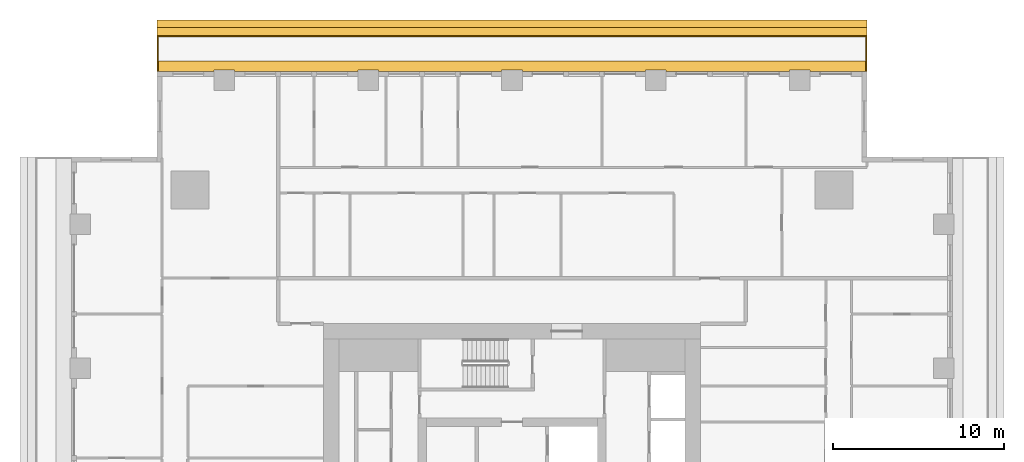
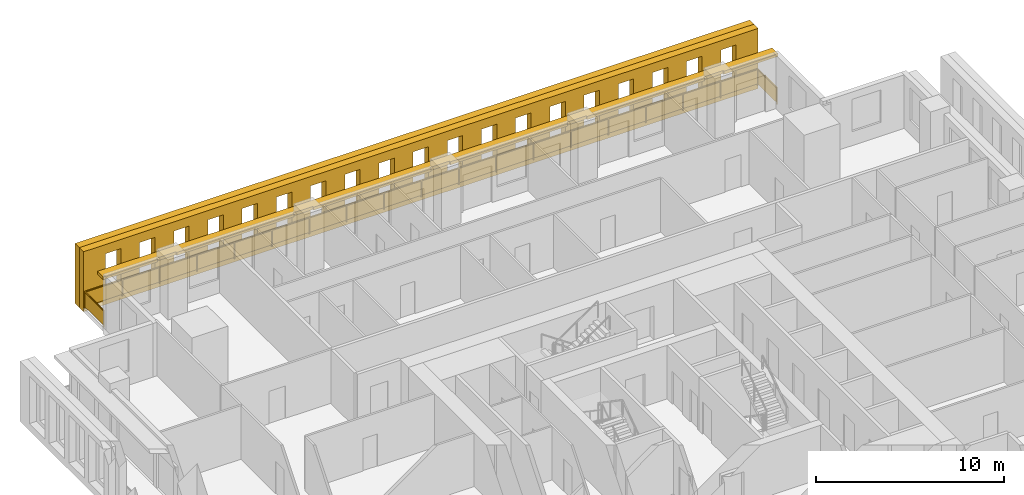
# One storey, part 14 of 14: 3 shading devices, 1 railing.
"""IFC4 building model written with IfcOpenShell, lengths in metres."""

from ifc_helpers import new_model, si_unit, direction, frame, origin, origin_2d, place, context, subcontext, project, spatial, polyline, rectangle, outline, extrude, material, layer, layer_set, type_object, element, save


model = new_model("IFC4")

# Units and contexts
model_context = context("Model", 3, precision=1e-05, world=origin(), true_north=direction((0.0, 1.0)))
body_context = subcontext(model_context, "Body", "Model", "MODEL_VIEW")
ifc_project = project(units=[si_unit("LENGTHUNIT", "METRE"), si_unit("AREAUNIT", "SQUARE_METRE"), si_unit("VOLUMEUNIT", "CUBIC_METRE"), si_unit("PLANEANGLEUNIT", "RADIAN"), si_unit("MASSUNIT", "GRAM", prefix="KILO")], contexts=[model_context])

# Site, building, storey
site_placement = place(None, origin())
site = spatial("IfcSite", under=ifc_project, at=site_placement, CompositionType="ELEMENT")
building_placement = place(site_placement, origin())
building = spatial("IfcBuilding", under=site, at=building_placement, Name="Khepri Terraces", CompositionType="ELEMENT")
storey_placement = place(building_placement, frame((0.0, 0.0, 267.89990234375)))
storey = spatial("IfcBuildingStorey", under=building, at=storey_placement, Name="L64", CompositionType="ELEMENT", Elevation=267.89990234375)

# Railing
ifc_material_1 = material(Name="Stainless steel grade 316", Category="steel")
railing_type = type_object("IfcRailingType", Name="GRD-BAL-1100", PredefinedType="GUARDRAIL", material=ifc_material_1)
railing_placement = place(storey_placement, frame((20.669921875, 25.719970703125, 0.0)))
element("IfcRailing", 1, at=railing_placement, inside=storey, type_object=railing_type, Name="Balcony guard L64 N", PredefinedType="GUARDRAIL", context=body_context, shape_type="SweptSolid", body=[
    extrude(rectangle(XDim=0.050048828125, YDim=0.06005859375, at=origin_2d()), frame((0.0, 0.0, 1.070068359375), z_axis=(0.0, 1.0, 0.0), x_axis=(-1.0, 0.0, 0.0)), (0.0, 0.0, 1.0), 2.050048828125),
    extrude(rectangle(XDim=2.0, YDim=0.011962890625, at=origin_2d()), frame((0.0, 1.02490234375, 0.10009765625), z_axis=(0.0, 0.0, 1.0), x_axis=(0.0, 1.0, 0.0)), (0.0, 0.0, 1.0), 0.93994140625),
    extrude(rectangle(XDim=0.050048828125, YDim=0.06005859375, at=origin_2d()), frame((0.0, 2.050048828125, 1.070068359375), z_axis=(-1.0, 0.0, 0.0), x_axis=(0.0, -1.0, 0.0)), (0.0, 0.0, 1.0), 41.33984375),
    extrude(rectangle(XDim=2.24658203125, YDim=0.011962890625, at=origin_2d()), frame((-1.1484375, 2.050048828125, 0.10009765625), z_axis=(0.0, 0.0, 1.0), x_axis=(-1.0, 0.0, 0.0)), (0.0, 0.0, 1.0), 0.93994140625),
    extrude(rectangle(XDim=2.24658203125, YDim=0.011962890625, at=origin_2d()), frame((-3.445068359375, 2.050048828125, 0.10009765625), z_axis=(0.0, 0.0, 1.0), x_axis=(-1.0, 0.0, 0.0)), (0.0, 0.0, 1.0), 0.93994140625),
    extrude(rectangle(XDim=2.24658203125, YDim=0.011962890625, at=origin_2d()), frame((-5.74169921875, 2.050048828125, 0.10009765625), z_axis=(0.0, 0.0, 1.0), x_axis=(-1.0, 0.0, 0.0)), (0.0, 0.0, 1.0), 0.93994140625),
    extrude(rectangle(XDim=2.24658203125, YDim=0.011962890625, at=origin_2d()), frame((-8.038330078125, 2.050048828125, 0.10009765625), z_axis=(0.0, 0.0, 1.0), x_axis=(-1.0, 0.0, 0.0)), (0.0, 0.0, 1.0), 0.93994140625),
    extrude(rectangle(XDim=2.24658203125, YDim=0.011962890625, at=origin_2d()), frame((-10.3349609375, 2.050048828125, 0.10009765625), z_axis=(0.0, 0.0, 1.0), x_axis=(-1.0, 0.0, 0.0)), (0.0, 0.0, 1.0), 0.93994140625),
    extrude(rectangle(XDim=2.24658203125, YDim=0.011962890625, at=origin_2d()), frame((-12.631591796875, 2.050048828125, 0.10009765625), z_axis=(0.0, 0.0, 1.0), x_axis=(-1.0, 0.0, 0.0)), (0.0, 0.0, 1.0), 0.93994140625),
    extrude(rectangle(XDim=2.24658203125, YDim=0.011962890625, at=origin_2d()), frame((-14.92822265625, 2.050048828125, 0.10009765625), z_axis=(0.0, 0.0, 1.0), x_axis=(-1.0, 0.0, 0.0)), (0.0, 0.0, 1.0), 0.93994140625),
    extrude(rectangle(XDim=2.24658203125, YDim=0.011962890625, at=origin_2d()), frame((-17.224853515625, 2.050048828125, 0.10009765625), z_axis=(0.0, 0.0, 1.0), x_axis=(-1.0, 0.0, 0.0)), (0.0, 0.0, 1.0), 0.93994140625),
    extrude(rectangle(XDim=2.24658203125, YDim=0.011962890625, at=origin_2d()), frame((-19.521484375, 2.050048828125, 0.10009765625), z_axis=(0.0, 0.0, 1.0), x_axis=(-1.0, 0.0, 0.0)), (0.0, 0.0, 1.0), 0.93994140625),
    extrude(rectangle(XDim=2.24658203125, YDim=0.011962890625, at=origin_2d()), frame((-21.818359375, 2.050048828125, 0.10009765625), z_axis=(0.0, 0.0, 1.0), x_axis=(-1.0, 0.0, 0.0)), (0.0, 0.0, 1.0), 0.93994140625),
    extrude(rectangle(XDim=2.24658203125, YDim=0.011962890625, at=origin_2d()), frame((-24.114990234375, 2.050048828125, 0.10009765625), z_axis=(0.0, 0.0, 1.0), x_axis=(-1.0, 0.0, 0.0)), (0.0, 0.0, 1.0), 0.93994140625),
    extrude(rectangle(XDim=2.24658203125, YDim=0.011962890625, at=origin_2d()), frame((-26.41162109375, 2.050048828125, 0.10009765625), z_axis=(0.0, 0.0, 1.0), x_axis=(-1.0, 0.0, 0.0)), (0.0, 0.0, 1.0), 0.93994140625),
    extrude(rectangle(XDim=2.24658203125, YDim=0.011962890625, at=origin_2d()), frame((-28.708251953125, 2.050048828125, 0.10009765625), z_axis=(0.0, 0.0, 1.0), x_axis=(-1.0, 0.0, 0.0)), (0.0, 0.0, 1.0), 0.93994140625),
    extrude(rectangle(XDim=2.24658203125, YDim=0.011962890625, at=origin_2d()), frame((-31.0048828125, 2.050048828125, 0.10009765625), z_axis=(0.0, 0.0, 1.0), x_axis=(-1.0, 0.0, 0.0)), (0.0, 0.0, 1.0), 0.93994140625),
    extrude(rectangle(XDim=2.24658203125, YDim=0.011962890625, at=origin_2d()), frame((-33.301513671875, 2.050048828125, 0.10009765625), z_axis=(0.0, 0.0, 1.0), x_axis=(-1.0, 0.0, 0.0)), (0.0, 0.0, 1.0), 0.93994140625),
    extrude(rectangle(XDim=2.24658203125, YDim=0.011962890625, at=origin_2d()), frame((-35.59814453125, 2.050048828125, 0.10009765625), z_axis=(0.0, 0.0, 1.0), x_axis=(-1.0, 0.0, 0.0)), (0.0, 0.0, 1.0), 0.93994140625),
    extrude(rectangle(XDim=2.24658203125, YDim=0.011962890625, at=origin_2d()), frame((-37.894775390625, 2.050048828125, 0.10009765625), z_axis=(0.0, 0.0, 1.0), x_axis=(-1.0, 0.0, 0.0)), (0.0, 0.0, 1.0), 0.93994140625),
    extrude(rectangle(XDim=2.24658203125, YDim=0.011962890625, at=origin_2d()), frame((-40.19140625, 2.050048828125, 0.10009765625), z_axis=(0.0, 0.0, 1.0), x_axis=(-1.0, 0.0, 0.0)), (0.0, 0.0, 1.0), 0.93994140625),
    extrude(rectangle(XDim=0.050048828125, YDim=0.06005859375, at=origin_2d()), frame((-41.33984375, 2.050048828125, 1.070068359375), z_axis=(0.0, -1.0, 0.0), x_axis=(1.0, 0.0, 0.0)), (0.0, 0.0, 1.0), 2.050048828125),
    extrude(rectangle(XDim=2.0, YDim=0.011962890625, at=origin_2d()), frame((-41.33984375, 1.02490234375, 0.10009765625), z_axis=(0.0, 0.0, 1.0), x_axis=(0.0, -1.0, 0.0)), (0.0, 0.0, 1.0), 0.93994140625),
    extrude(rectangle(XDim=0.050048828125, YDim=0.050048828125, at=origin_2d()), origin(), (0.0, 0.0, 1.0), 1.0400390625),
    extrude(rectangle(XDim=0.050048828125, YDim=0.050048828125, at=origin_2d()), frame((0.0, 2.050048828125, 0.0)), (0.0, 0.0, 1.0), 1.0400390625),
    extrude(rectangle(XDim=0.050048828125, YDim=0.050048828125, at=origin_2d()), frame((-2.296630859375, 2.050048828125, 0.0)), (0.0, 0.0, 1.0), 1.0400390625),
    extrude(rectangle(XDim=0.050048828125, YDim=0.050048828125, at=origin_2d()), frame((-4.59326171875, 2.050048828125, 0.0)), (0.0, 0.0, 1.0), 1.0400390625),
    extrude(rectangle(XDim=0.050048828125, YDim=0.050048828125, at=origin_2d()), frame((-6.889892578125, 2.050048828125, 0.0)), (0.0, 0.0, 1.0), 1.0400390625),
    extrude(rectangle(XDim=0.050048828125, YDim=0.050048828125, at=origin_2d()), frame((-9.1865234375, 2.050048828125, 0.0)), (0.0, 0.0, 1.0), 1.0400390625),
    extrude(rectangle(XDim=0.050048828125, YDim=0.050048828125, at=origin_2d()), frame((-11.4833984375, 2.050048828125, 0.0)), (0.0, 0.0, 1.0), 1.0400390625),
    extrude(rectangle(XDim=0.050048828125, YDim=0.050048828125, at=origin_2d()), frame((-13.780029296875, 2.050048828125, 0.0)), (0.0, 0.0, 1.0), 1.0400390625),
    extrude(rectangle(XDim=0.050048828125, YDim=0.050048828125, at=origin_2d()), frame((-16.07666015625, 2.050048828125, 0.0)), (0.0, 0.0, 1.0), 1.0400390625),
    extrude(rectangle(XDim=0.050048828125, YDim=0.050048828125, at=origin_2d()), frame((-18.373291015625, 2.050048828125, 0.0)), (0.0, 0.0, 1.0), 1.0400390625),
    extrude(rectangle(XDim=0.050048828125, YDim=0.050048828125, at=origin_2d()), frame((-20.669921875, 2.050048828125, 0.0)), (0.0, 0.0, 1.0), 1.0400390625),
    extrude(rectangle(XDim=0.050048828125, YDim=0.050048828125, at=origin_2d()), frame((-22.966552734375, 2.050048828125, 0.0)), (0.0, 0.0, 1.0), 1.0400390625),
    extrude(rectangle(XDim=0.050048828125, YDim=0.050048828125, at=origin_2d()), frame((-25.26318359375, 2.050048828125, 0.0)), (0.0, 0.0, 1.0), 1.0400390625),
    extrude(rectangle(XDim=0.050048828125, YDim=0.050048828125, at=origin_2d()), frame((-27.559814453125, 2.050048828125, 0.0)), (0.0, 0.0, 1.0), 1.0400390625),
    extrude(rectangle(XDim=0.050048828125, YDim=0.050048828125, at=origin_2d()), frame((-29.8564453125, 2.050048828125, 0.0)), (0.0, 0.0, 1.0), 1.0400390625),
    extrude(rectangle(XDim=0.050048828125, YDim=0.050048828125, at=origin_2d()), frame((-32.1533203125, 2.050048828125, 0.0)), (0.0, 0.0, 1.0), 1.0400390625),
    extrude(rectangle(XDim=0.050048828125, YDim=0.050048828125, at=origin_2d()), frame((-34.449951171875, 2.050048828125, 0.0)), (0.0, 0.0, 1.0), 1.0400390625),
    extrude(rectangle(XDim=0.050048828125, YDim=0.050048828125, at=origin_2d()), frame((-36.74658203125, 2.050048828125, 0.0)), (0.0, 0.0, 1.0), 1.0400390625),
    extrude(rectangle(XDim=0.050048828125, YDim=0.050048828125, at=origin_2d()), frame((-39.043212890625, 2.050048828125, 0.0)), (0.0, 0.0, 1.0), 1.0400390625),
    extrude(rectangle(XDim=0.050048828125, YDim=0.050048828125, at=origin_2d()), frame((-41.33984375, 2.050048828125, 0.0)), (0.0, 0.0, 1.0), 1.0400390625),
    extrude(rectangle(XDim=0.050048828125, YDim=0.050048828125, at=origin_2d()), frame((-41.33984375, 0.0, 0.0)), (0.0, 0.0, 1.0), 1.0400390625),
])

# Shading devices
ifc_material_2 = material(Name="Precast concrete C50/60 warm stone", Category="masonry")
shading_device_type_1 = type_object("IfcShadingDeviceType", Name="SCR-CELL-INNER-450", PredefinedType="USERDEFINED", material=ifc_material_2)
shading_device_1_placement = place(storey_placement, frame((20.719970703125, 27.820068359375, -0.25), z_axis=(0.0, 1.0, 0.0), x_axis=(-1.0, 0.0, 0.0)))
element("IfcShadingDevice", 2, at=shading_device_1_placement, inside=storey, type_object=shading_device_type_1, Name="Cell screen L64 N in", ObjectType="SCREEN", PredefinedType="USERDEFINED", context=body_context, shape_type="SweptSolid", body=[
    extrude(outline(polyline([(0.0, 0.0), (41.43994140625, 0.0), (41.43994140625, 3.89990234375), (0.0, 3.89990234375), (0.0, 0.0)]), holes=[polyline([(1.347412109375, 0.699951171875), (2.29248046875, 0.699951171875), (2.29248046875, 3.300048828125), (1.347412109375, 3.300048828125), (1.347412109375, 0.699951171875)]), polyline([(3.447509765625, 0.699951171875), (4.392578125, 0.699951171875), (4.392578125, 3.300048828125), (3.447509765625, 3.300048828125), (3.447509765625, 0.699951171875)]), polyline([(5.547607421875, 0.699951171875), (6.492431640625, 0.699951171875), (6.492431640625, 3.300048828125), (5.547607421875, 3.300048828125), (5.547607421875, 0.699951171875)]), polyline([(7.6474609375, 0.699951171875), (8.592529296875, 0.699951171875), (8.592529296875, 3.300048828125), (7.6474609375, 3.300048828125), (7.6474609375, 0.699951171875)]), polyline([(9.74755859375, 0.699951171875), (10.6923828125, 0.699951171875), (10.6923828125, 3.300048828125), (9.74755859375, 3.300048828125), (9.74755859375, 0.699951171875)]), polyline([(11.847412109375, 0.699951171875), (12.79248046875, 0.699951171875), (12.79248046875, 3.300048828125), (11.847412109375, 3.300048828125), (11.847412109375, 0.699951171875)]), polyline([(13.947509765625, 0.699951171875), (14.892578125, 0.699951171875), (14.892578125, 3.300048828125), (13.947509765625, 3.300048828125), (13.947509765625, 0.699951171875)]), polyline([(16.047607421875, 0.699951171875), (16.992431640625, 0.699951171875), (16.992431640625, 3.300048828125), (16.047607421875, 3.300048828125), (16.047607421875, 0.699951171875)]), polyline([(18.1474609375, 0.699951171875), (19.092529296875, 0.699951171875), (19.092529296875, 3.300048828125), (18.1474609375, 3.300048828125), (18.1474609375, 0.699951171875)]), polyline([(20.24755859375, 0.699951171875), (21.1923828125, 0.699951171875), (21.1923828125, 3.300048828125), (20.24755859375, 3.300048828125), (20.24755859375, 0.699951171875)]), polyline([(22.347412109375, 0.699951171875), (23.29248046875, 0.699951171875), (23.29248046875, 3.300048828125), (22.347412109375, 3.300048828125), (22.347412109375, 0.699951171875)]), polyline([(24.447509765625, 0.699951171875), (25.392578125, 0.699951171875), (25.392578125, 3.300048828125), (24.447509765625, 3.300048828125), (24.447509765625, 0.699951171875)]), polyline([(26.547607421875, 0.699951171875), (27.492431640625, 0.699951171875), (27.492431640625, 3.300048828125), (26.547607421875, 3.300048828125), (26.547607421875, 0.699951171875)]), polyline([(28.6474609375, 0.699951171875), (29.592529296875, 0.699951171875), (29.592529296875, 3.300048828125), (28.6474609375, 3.300048828125), (28.6474609375, 0.699951171875)]), polyline([(30.74755859375, 0.699951171875), (31.6923828125, 0.699951171875), (31.6923828125, 3.300048828125), (30.74755859375, 3.300048828125), (30.74755859375, 0.699951171875)]), polyline([(32.847412109375, 0.699951171875), (33.79248046875, 0.699951171875), (33.79248046875, 3.300048828125), (32.847412109375, 3.300048828125), (32.847412109375, 0.699951171875)]), polyline([(34.947509765625, 0.699951171875), (35.892578125, 0.699951171875), (35.892578125, 3.300048828125), (34.947509765625, 3.300048828125), (34.947509765625, 0.699951171875)]), polyline([(37.047607421875, 0.699951171875), (37.992431640625, 0.699951171875), (37.992431640625, 3.300048828125), (37.047607421875, 3.300048828125), (37.047607421875, 0.699951171875)]), polyline([(39.1474609375, 0.699951171875), (40.092529296875, 0.699951171875), (40.092529296875, 3.300048828125), (39.1474609375, 3.300048828125), (39.1474609375, 0.699951171875)])]), origin(), (0.0, 0.0, 1.0), 0.449951171875),
])
shading_device_type_2 = type_object("IfcShadingDeviceType", Name="SCR-CELL-OUTER-450", PredefinedType="USERDEFINED", material=ifc_material_2)
shading_device_2_placement = place(storey_placement, frame((20.719970703125, 28.27001953125, -0.25), z_axis=(0.0, 1.0, 0.0), x_axis=(-1.0, 0.0, 0.0)))
element("IfcShadingDevice", 3, at=shading_device_2_placement, inside=storey, type_object=shading_device_type_2, Name="Cell screen L64 N out", ObjectType="SCREEN", PredefinedType="USERDEFINED", context=body_context, shape_type="SweptSolid", body=[
    extrude(outline(polyline([(0.0, 0.0), (41.43994140625, 0.0), (41.43994140625, 3.89990234375), (0.0, 3.89990234375), (0.0, 0.0)]), holes=[polyline([(0.99755859375, 0.449951171875), (2.642578125, 0.449951171875), (2.642578125, 3.550048828125), (0.99755859375, 3.550048828125), (0.99755859375, 0.449951171875)]), polyline([(3.097412109375, 0.449951171875), (4.742431640625, 0.449951171875), (4.742431640625, 3.550048828125), (3.097412109375, 3.550048828125), (3.097412109375, 0.449951171875)]), polyline([(5.197509765625, 0.449951171875), (6.842529296875, 0.449951171875), (6.842529296875, 3.550048828125), (5.197509765625, 3.550048828125), (5.197509765625, 0.449951171875)]), polyline([(7.297607421875, 0.449951171875), (8.9423828125, 0.449951171875), (8.9423828125, 3.550048828125), (7.297607421875, 3.550048828125), (7.297607421875, 0.449951171875)]), polyline([(9.3974609375, 0.449951171875), (11.04248046875, 0.449951171875), (11.04248046875, 3.550048828125), (9.3974609375, 3.550048828125), (9.3974609375, 0.449951171875)]), polyline([(11.49755859375, 0.449951171875), (13.142578125, 0.449951171875), (13.142578125, 3.550048828125), (11.49755859375, 3.550048828125), (11.49755859375, 0.449951171875)]), polyline([(13.597412109375, 0.449951171875), (15.242431640625, 0.449951171875), (15.242431640625, 3.550048828125), (13.597412109375, 3.550048828125), (13.597412109375, 0.449951171875)]), polyline([(15.697509765625, 0.449951171875), (17.342529296875, 0.449951171875), (17.342529296875, 3.550048828125), (15.697509765625, 3.550048828125), (15.697509765625, 0.449951171875)]), polyline([(17.797607421875, 0.449951171875), (19.4423828125, 0.449951171875), (19.4423828125, 3.550048828125), (17.797607421875, 3.550048828125), (17.797607421875, 0.449951171875)]), polyline([(19.8974609375, 0.449951171875), (21.54248046875, 0.449951171875), (21.54248046875, 3.550048828125), (19.8974609375, 3.550048828125), (19.8974609375, 0.449951171875)]), polyline([(21.99755859375, 0.449951171875), (23.642578125, 0.449951171875), (23.642578125, 3.550048828125), (21.99755859375, 3.550048828125), (21.99755859375, 0.449951171875)]), polyline([(24.097412109375, 0.449951171875), (25.742431640625, 0.449951171875), (25.742431640625, 3.550048828125), (24.097412109375, 3.550048828125), (24.097412109375, 0.449951171875)]), polyline([(26.197509765625, 0.449951171875), (27.842529296875, 0.449951171875), (27.842529296875, 3.550048828125), (26.197509765625, 3.550048828125), (26.197509765625, 0.449951171875)]), polyline([(28.297607421875, 0.449951171875), (29.9423828125, 0.449951171875), (29.9423828125, 3.550048828125), (28.297607421875, 3.550048828125), (28.297607421875, 0.449951171875)]), polyline([(30.3974609375, 0.449951171875), (32.04248046875, 0.449951171875), (32.04248046875, 3.550048828125), (30.3974609375, 3.550048828125), (30.3974609375, 0.449951171875)]), polyline([(32.49755859375, 0.449951171875), (34.142578125, 0.449951171875), (34.142578125, 3.550048828125), (32.49755859375, 3.550048828125), (32.49755859375, 0.449951171875)]), polyline([(34.597412109375, 0.449951171875), (36.242431640625, 0.449951171875), (36.242431640625, 3.550048828125), (34.597412109375, 3.550048828125), (34.597412109375, 0.449951171875)]), polyline([(36.697509765625, 0.449951171875), (38.342529296875, 0.449951171875), (38.342529296875, 3.550048828125), (36.697509765625, 3.550048828125), (36.697509765625, 0.449951171875)]), polyline([(38.797607421875, 0.449951171875), (40.4423828125, 0.449951171875), (40.4423828125, 3.550048828125), (38.797607421875, 3.550048828125), (38.797607421875, 0.449951171875)])]), origin(), (0.0, 0.0, 1.0), 0.449951171875),
])
ifc_layer = layer(ifc_material_2, 0.199951171875, Name="Precast concrete C50/60 warm stone", Category="masonry")
ifc_layer_set = layer_set([ifc_layer], Name="Precast concrete C50/60 warm stone")
shading_device_type_3 = type_object("IfcShadingDeviceType", Name="SSH-BAND-STONE-200-N", PredefinedType="USERDEFINED", material=ifc_layer_set)
shading_device_3_placement = place(storey_placement, frame((0.0, 0.0, 3.10009765625)))
element("IfcShadingDevice", 4, at=shading_device_3_placement, inside=storey, type_object=shading_device_type_3, Name="Sunshade band L64 N", ObjectType="SUNSHADE", PredefinedType="USERDEFINED", context=body_context, shape_type="SweptSolid", body=[
    extrude(outline(polyline([(17.39990234375, 25.719970703125), (20.719970703125, 25.719970703125), (20.719970703125, 26.320068359375), (-20.719970703125, 26.320068359375), (-20.719970703125, 25.719970703125), (-17.39990234375, 25.719970703125), (-17.39990234375, 25.800048828125), (-16.199951171875, 25.800048828125), (-16.199951171875, 25.719970703125), (-9.0, 25.719970703125), (-9.0, 25.800048828125), (-7.800048828125, 25.800048828125), (-7.800048828125, 25.719970703125), (-0.60009765625, 25.719970703125), (-0.60009765625, 25.800048828125), (0.60009765625, 25.800048828125), (0.60009765625, 25.719970703125), (7.800048828125, 25.719970703125), (7.800048828125, 25.800048828125), (9.0, 25.800048828125), (9.0, 25.719970703125), (16.199951171875, 25.719970703125), (16.199951171875, 25.800048828125), (17.39990234375, 25.800048828125), (17.39990234375, 25.719970703125)])), origin(), (0.0, 0.0, 1.0), 0.199951171875),
])

save(model, "model.ifc")
